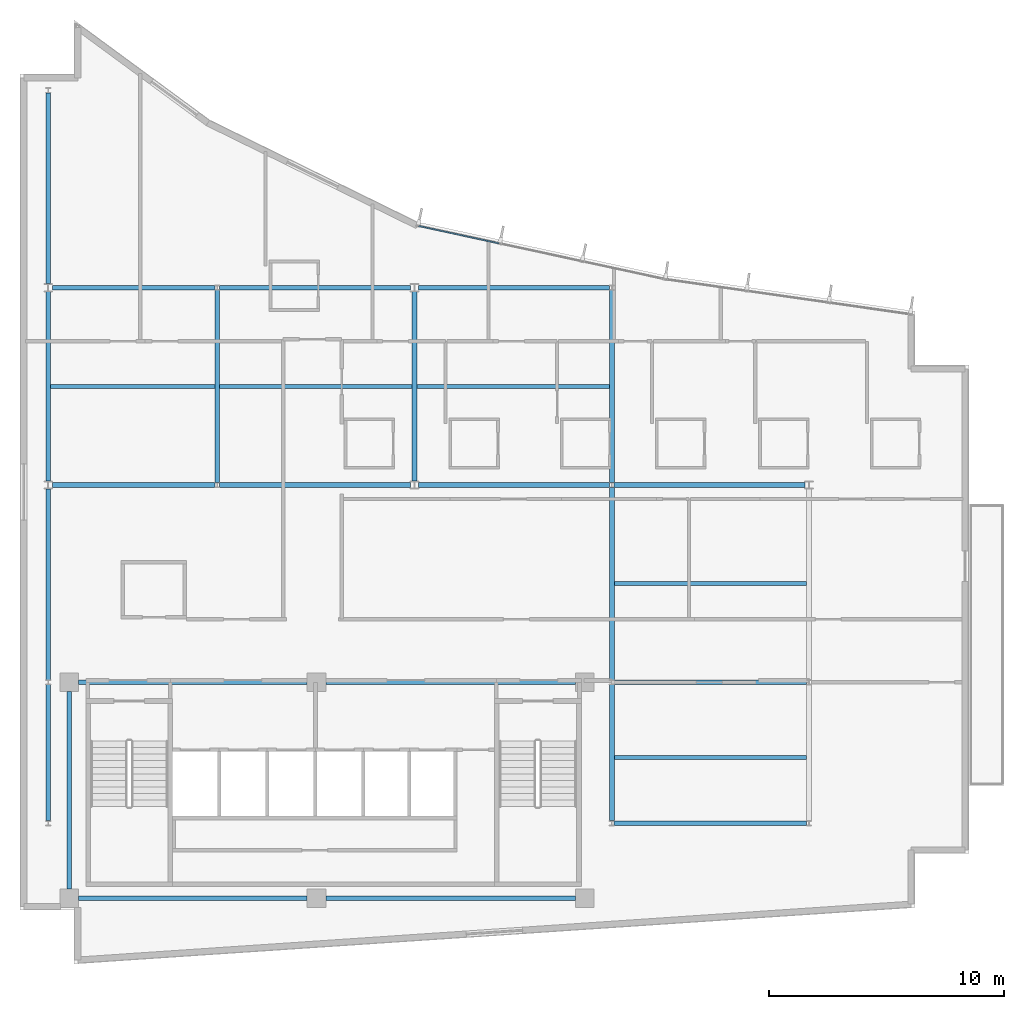
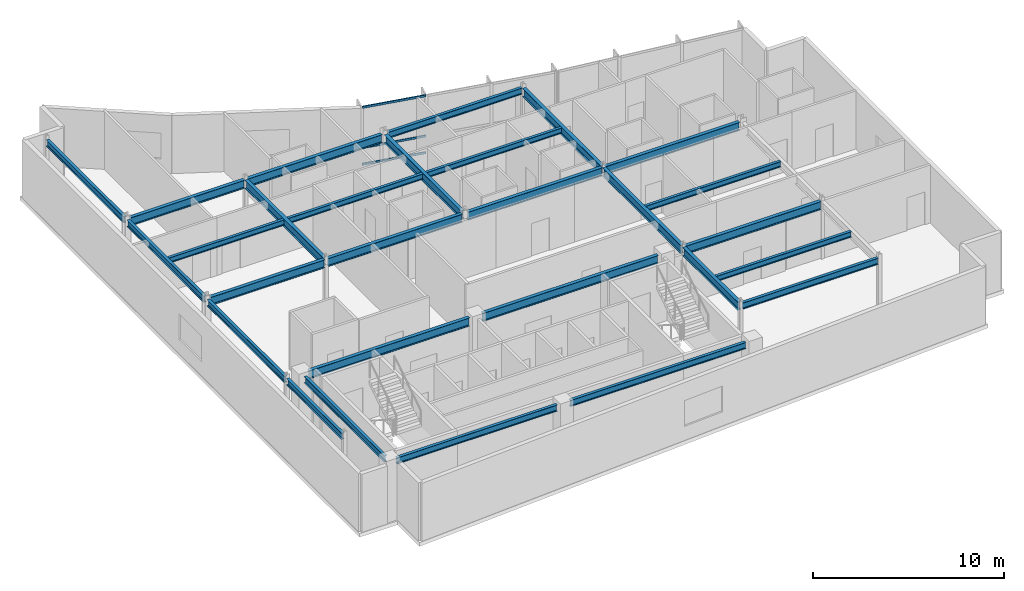
# One storey, part 5 of 16: 28 beams, 3 members, 1 element without a shape of its own.
"""IFC4 building model written with IfcOpenShell, lengths in metres."""

from ifc_helpers import new_model, si_unit, direction, frame, origin, origin_2d, place, context, subcontext, project, spatial, hollow_rectangle, i_section, extrude, material, layer, layer_set, material_profile, profile_set, type_object, element, aggregate, save


model = new_model("IFC4")

# Units and contexts
model_context = context("Model", 3, precision=1e-05, world=origin(), true_north=direction((0.0, 1.0)))
body_context = subcontext(model_context, "Body", "Model", "MODEL_VIEW")
ifc_project = project(units=[si_unit("LENGTHUNIT", "METRE"), si_unit("AREAUNIT", "SQUARE_METRE"), si_unit("VOLUMEUNIT", "CUBIC_METRE"), si_unit("PLANEANGLEUNIT", "RADIAN"), si_unit("MASSUNIT", "GRAM", prefix="KILO")], contexts=[model_context])

# Site, building, storey
site_placement = place(None, origin())
site = spatial("IfcSite", under=ifc_project, at=site_placement, CompositionType="ELEMENT")
building_placement = place(site_placement, origin())
building = spatial("IfcBuilding", under=site, at=building_placement, Name="Varnakote Quay Hospital", CompositionType="ELEMENT")
storey_placement = place(building_placement, frame((0.0, 0.0, 292.10009765625)))
storey = spatial("IfcBuildingStorey", under=building, at=storey_placement, Name="L72", CompositionType="ELEMENT", Elevation=292.10009765625)

# Beams
ifc_material_1 = material(Name="Structural steel AS/NZS 3679.1 Grade 350 L0 (fy 340 MPa)", Category="steel")
ifc_material_profile_1 = material_profile(ifc_material_1, i_section(OverallWidth=0.208984375, OverallDepth=0.528076171875, WebThickness=0.009521484375, FlangeThickness=0.01318359375, FilletRadius=0.013916015625, at=origin_2d()), Name="530UB82.0")
ifc_profile_set_1 = profile_set([ifc_material_profile_1], Name="Structural steel AS/NZS 3679.1 Grade 350 L0 (fy 340 MPa)")
beam_type_1 = type_object("IfcBeamType", Name="BM-STL-530UB82-0", PredefinedType="BEAM", material=ifc_profile_set_1)
beam_1_placement = place(storey_placement, frame((2.5, 12.0, 3.44580078125), z_axis=(1.0, 0.0, 0.0), x_axis=(0.0, 1.0, 0.0)))
element("IfcBeam", 1, at=beam_1_placement, inside=storey, type_object=beam_type_1, Name="L72 Primary Floor Beam", PredefinedType="BEAM", context=body_context, shape_type="SweptSolid", body=[
    extrude(i_section(OverallWidth=0.208984375, OverallDepth=0.528076171875, WebThickness=0.009521484375, FlangeThickness=0.01318359375, FilletRadius=0.013916015625, at=origin_2d()), origin(), (0.0, 0.0, 1.0), 9.719970703125),
])
beam_2_placement = place(storey_placement, frame((13.02001953125, 12.0, 3.44580078125), z_axis=(1.0, 0.0, 0.0), x_axis=(0.0, 1.0, 0.0)))
element("IfcBeam", 2, at=beam_2_placement, inside=storey, type_object=beam_type_1, Name="L72 Primary Floor Beam", PredefinedType="BEAM", context=body_context, shape_type="SweptSolid", body=[
    extrude(i_section(OverallWidth=0.208984375, OverallDepth=0.528076171875, WebThickness=0.009521484375, FlangeThickness=0.01318359375, FilletRadius=0.013916015625, at=origin_2d()), origin(), (0.0, 0.0, 1.0), 10.6298828125),
])
beam_3_placement = place(storey_placement, frame((25.302490234375, 12.0, 3.44580078125), z_axis=(1.0, 0.0, 0.0), x_axis=(0.0, 1.0, 0.0)))
element("IfcBeam", 3, at=beam_3_placement, inside=storey, type_object=beam_type_1, Name="L72 Primary Floor Beam", PredefinedType="BEAM", context=body_context, shape_type="SweptSolid", body=[
    extrude(i_section(OverallWidth=0.208984375, OverallDepth=0.528076171875, WebThickness=0.009521484375, FlangeThickness=0.01318359375, FilletRadius=0.013916015625, at=origin_2d()), origin(), (0.0, 0.0, 1.0), 8.195068359375),
])
beam_4_placement = place(storey_placement, frame((1.375, 20.39990234375, 3.44580078125), z_axis=(1.0, 0.0, 0.0), x_axis=(0.0, 1.0, 0.0)))
element("IfcBeam", 4, at=beam_4_placement, inside=storey, type_object=beam_type_1, Name="L72 Primary Floor Beam", PredefinedType="BEAM", context=body_context, shape_type="SweptSolid", body=[
    extrude(i_section(OverallWidth=0.208984375, OverallDepth=0.528076171875, WebThickness=0.009521484375, FlangeThickness=0.01318359375, FilletRadius=0.013916015625, at=origin_2d()), origin(), (0.0, 0.0, 1.0), 6.922607421875),
])
beam_5_placement = place(storey_placement, frame((8.50244140625, 20.39990234375, 3.44580078125), z_axis=(1.0, 0.0, 0.0), x_axis=(0.0, 1.0, 0.0)))
element("IfcBeam", 5, at=beam_5_placement, inside=storey, type_object=beam_type_1, Name="L72 Primary Floor Beam", PredefinedType="BEAM", context=body_context, shape_type="SweptSolid", body=[
    extrude(i_section(OverallWidth=0.208984375, OverallDepth=0.528076171875, WebThickness=0.009521484375, FlangeThickness=0.01318359375, FilletRadius=0.013916015625, at=origin_2d()), origin(), (0.0, 0.0, 1.0), 8.12255859375),
])
beam_6_placement = place(storey_placement, frame((16.97509765625, 20.39990234375, 3.44580078125), z_axis=(1.0, 0.0, 0.0), x_axis=(0.0, 1.0, 0.0)))
element("IfcBeam", 6, at=beam_6_placement, inside=storey, type_object=beam_type_1, Name="L72 Primary Floor Beam", PredefinedType="BEAM", context=body_context, shape_type="SweptSolid", body=[
    extrude(i_section(OverallWidth=0.208984375, OverallDepth=0.528076171875, WebThickness=0.009521484375, FlangeThickness=0.01318359375, FilletRadius=0.013916015625, at=origin_2d()), origin(), (0.0, 0.0, 1.0), 8.122314453125),
])
beam_7_placement = place(storey_placement, frame((25.302490234375, 20.39990234375, 3.44580078125), z_axis=(1.0, 0.0, 0.0), x_axis=(0.0, 1.0, 0.0)))
element("IfcBeam", 7, at=beam_7_placement, inside=storey, type_object=beam_type_1, Name="L72 Primary Floor Beam", PredefinedType="BEAM", context=body_context, shape_type="SweptSolid", body=[
    extrude(i_section(OverallWidth=0.208984375, OverallDepth=0.528076171875, WebThickness=0.009521484375, FlangeThickness=0.01318359375, FilletRadius=0.013916015625, at=origin_2d()), origin(), (0.0, 0.0, 1.0), 8.12255859375),
])
beam_8_placement = place(storey_placement, frame((1.375, 28.800048828125, 3.44580078125), z_axis=(1.0, 0.0, 0.0), x_axis=(0.0, 1.0, 0.0)))
element("IfcBeam", 8, at=beam_8_placement, inside=storey, type_object=beam_type_1, Name="L72 Primary Floor Beam", PredefinedType="BEAM", context=body_context, shape_type="SweptSolid", body=[
    extrude(i_section(OverallWidth=0.208984375, OverallDepth=0.528076171875, WebThickness=0.009521484375, FlangeThickness=0.01318359375, FilletRadius=0.013916015625, at=origin_2d()), origin(), (0.0, 0.0, 1.0), 6.922607421875),
])
beam_9_placement = place(storey_placement, frame((8.50244140625, 28.800048828125, 3.44580078125), z_axis=(1.0, 0.0, 0.0), x_axis=(0.0, 1.0, 0.0)))
element("IfcBeam", 9, at=beam_9_placement, inside=storey, type_object=beam_type_1, Name="L72 Primary Floor Beam", PredefinedType="BEAM", context=body_context, shape_type="SweptSolid", body=[
    extrude(i_section(OverallWidth=0.208984375, OverallDepth=0.528076171875, WebThickness=0.009521484375, FlangeThickness=0.01318359375, FilletRadius=0.013916015625, at=origin_2d()), origin(), (0.0, 0.0, 1.0), 8.12255859375),
])
beam_10_placement = place(storey_placement, frame((8.39990234375, 20.5048828125, 3.44580078125), z_axis=(0.0, 1.0, 0.0), x_axis=(-1.0, 0.0, 0.0)))
element("IfcBeam", 10, at=beam_10_placement, inside=storey, type_object=beam_type_1, Name="L72 Primary Tie Beam", PredefinedType="BEAM", context=body_context, shape_type="SweptSolid", body=[
    extrude(i_section(OverallWidth=0.208984375, OverallDepth=0.528076171875, WebThickness=0.009521484375, FlangeThickness=0.01318359375, FilletRadius=0.013916015625, at=origin_2d()), origin(), (0.0, 0.0, 1.0), 8.190185546875),
])
beam_11_placement = place(storey_placement, frame((16.800048828125, 20.570068359375, 3.44580078125), z_axis=(0.0, 1.0, 0.0), x_axis=(-1.0, 0.0, 0.0)))
element("IfcBeam", 11, at=beam_11_placement, inside=storey, type_object=beam_type_1, Name="L72 Primary Tie Beam", PredefinedType="BEAM", context=body_context, shape_type="SweptSolid", body=[
    extrude(i_section(OverallWidth=0.208984375, OverallDepth=0.528076171875, WebThickness=0.009521484375, FlangeThickness=0.01318359375, FilletRadius=0.013916015625, at=origin_2d()), origin(), (0.0, 0.0, 1.0), 8.059814453125),
])
beam_12_placement = place(storey_placement, frame((25.199951171875, 6.10498046875, 3.44580078125), z_axis=(0.0, 1.0, 0.0), x_axis=(-1.0, 0.0, 0.0)))
element("IfcBeam", 12, at=beam_12_placement, inside=storey, type_object=beam_type_1, Name="L72 Primary Tie Beam", PredefinedType="BEAM", context=body_context, shape_type="SweptSolid", body=[
    extrude(i_section(OverallWidth=0.208984375, OverallDepth=0.528076171875, WebThickness=0.009521484375, FlangeThickness=0.01318359375, FilletRadius=0.013916015625, at=origin_2d()), origin(), (0.0, 0.0, 1.0), 5.7900390625),
])
beam_13_placement = place(storey_placement, frame((25.199951171875, 12.10498046875, 3.44580078125), z_axis=(0.0, 1.0, 0.0), x_axis=(-1.0, 0.0, 0.0)))
element("IfcBeam", 13, at=beam_13_placement, inside=storey, type_object=beam_type_1, Name="L72 Primary Tie Beam", PredefinedType="BEAM", context=body_context, shape_type="SweptSolid", body=[
    extrude(i_section(OverallWidth=0.208984375, OverallDepth=0.528076171875, WebThickness=0.009521484375, FlangeThickness=0.01318359375, FilletRadius=0.013916015625, at=origin_2d()), origin(), (0.0, 0.0, 1.0), 8.18994140625),
])
beam_14_placement = place(storey_placement, frame((25.199951171875, 20.5048828125, 3.44580078125), z_axis=(0.0, 1.0, 0.0), x_axis=(-1.0, 0.0, 0.0)))
element("IfcBeam", 14, at=beam_14_placement, inside=storey, type_object=beam_type_1, Name="L72 Primary Tie Beam", PredefinedType="BEAM", context=body_context, shape_type="SweptSolid", body=[
    extrude(i_section(OverallWidth=0.208984375, OverallDepth=0.528076171875, WebThickness=0.009521484375, FlangeThickness=0.01318359375, FilletRadius=0.013916015625, at=origin_2d()), origin(), (0.0, 0.0, 1.0), 8.190185546875),
])

# Curtain wall, members
ifc_material_2 = material(Name="Anodised aluminium 6063-T6 Bronze", Category="aluminium")
ifc_layer = layer(ifc_material_2, 0.235107421875)
ifc_layer_set = layer_set([ifc_layer], Name="Anodised aluminium 6063-T6 Bronze")
curtain_wall_type = type_object("IfcCurtainWallType", Name="CW-SYS-5", PredefinedType="NOTDEFINED", material=ifc_layer_set)
curtain_wall_placement = place(storey_placement, origin())
curtain_wall = element("IfcCurtainWall", 15, at=curtain_wall_placement, inside=storey, type_object=curtain_wall_type, Name="L72 Unitised Bronze Curtain Wall 2", PredefinedType="NOTDEFINED")
ifc_material_3 = material(Name="Anodised aluminium 6063-T6 Bronze", Category="aluminium")
ifc_material_profile_2 = material_profile(ifc_material_3, hollow_rectangle(XDim=0.06494140625, YDim=0.139892578125, WallThickness=0.00390625, InnerFilletRadius=0.00390625, OuterFilletRadius=0.007568359375, at=origin_2d()), Name="CW-TRAN-140x65")
ifc_profile_set_2 = profile_set([ifc_material_profile_2], Name="Anodised aluminium 6063-T6 Bronze")
member_type = type_object("IfcMemberType", Name="CW-TRAN-140x65", PredefinedType="USERDEFINED", material=ifc_profile_set_2)
member_1_placement = place(storey_placement, frame((20.392822265625, 30.6875, 0.032470703125), z_axis=(-0.977396604486, 0.211413995608, 0.0), x_axis=(-0.211413995608, -0.977396604486, 0.0)))
member_1 = element("IfcMember", 16, at=member_1_placement, type_object=member_type, Name="-5-L72-2 transom 3.1", ObjectType="TRANSOM", PredefinedType="USERDEFINED", context=body_context, shape_type="SweptSolid", body=[
    extrude(hollow_rectangle(XDim=0.06494140625, YDim=0.139892578125, WallThickness=0.00390625, InnerFilletRadius=0.00390625, OuterFilletRadius=0.007568359375, at=origin_2d()), origin(), (0.0, 0.0, 1.0), 3.4931640625),
])
member_2_placement = place(storey_placement, frame((20.392822265625, 30.6875, 1.099853515625), z_axis=(-0.977396604486, 0.211413995608, 0.0), x_axis=(-0.211413995608, -0.977396604486, 0.0)))
member_2 = element("IfcMember", 17, at=member_2_placement, type_object=member_type, Name="-5-L72-2 transom 3.2", ObjectType="TRANSOM", PredefinedType="USERDEFINED", context=body_context, shape_type="SweptSolid", body=[
    extrude(hollow_rectangle(XDim=0.06494140625, YDim=0.139892578125, WallThickness=0.00390625, InnerFilletRadius=0.00390625, OuterFilletRadius=0.007568359375, at=origin_2d()), origin(), (0.0, 0.0, 1.0), 3.4931640625),
])
member_3_placement = place(storey_placement, frame((20.392822265625, 30.6875, 3.677490234375), z_axis=(-0.977396604486, 0.211413995608, 0.0), x_axis=(-0.211413995608, -0.977396604486, 0.0)))
member_3 = element("IfcMember", 18, at=member_3_placement, type_object=member_type, Name="-5-L72-2 transom 3.3", ObjectType="TRANSOM", PredefinedType="USERDEFINED", context=body_context, shape_type="SweptSolid", body=[
    extrude(hollow_rectangle(XDim=0.06494140625, YDim=0.139892578125, WallThickness=0.00390625, InnerFilletRadius=0.00390625, OuterFilletRadius=0.007568359375, at=origin_2d()), origin(), (0.0, 0.0, 1.0), 3.4931640625),
])
aggregate(curtain_wall, [member_1, member_2, member_3])

# Beams
ifc_material_4 = material(Name="Structural steel AS/NZS 3679.1 Grade 350 L0 (fy 340 MPa)", Category="steel")
ifc_material_profile_3 = material_profile(ifc_material_4, i_section(OverallWidth=0.1708984375, OverallDepth=0.35595703125, WebThickness=0.00732421875, FlangeThickness=0.011474609375, FilletRadius=0.011474609375, at=origin_2d()), Name="360UB50.7")
ifc_profile_set_3 = profile_set([ifc_material_profile_3], Name="Structural steel AS/NZS 3679.1 Grade 350 L0 (fy 340 MPa)")
beam_type_2 = type_object("IfcBeamType", Name="JST-STL-360UB50-7", PredefinedType="JOIST", material=ifc_profile_set_3)
for number, where, z_axis, x_axis, name in (
    (19, (25.304443359375, 8.800048828125, 3.531982421875), (1.0, 0.0, 0.0), (0.0, 1.0, 0.0), "L72 Composite Floor Joist"),
    (20, (25.304443359375, 16.199951171875, 3.531982421875), (1.0, 0.0, 0.0), (0.0, 1.0, 0.0), "L72 Composite Floor Joist"),
):
    element("IfcBeam", number, at=place(storey_placement, frame(where, z_axis=z_axis, x_axis=x_axis)), inside=storey, type_object=beam_type_2, Name=name, PredefinedType="JOIST", context=body_context, shape_type="SweptSolid", body=[
        extrude(i_section(OverallWidth=0.1708984375, OverallDepth=0.35595703125, WebThickness=0.00732421875, FlangeThickness=0.011474609375, FilletRadius=0.011474609375, at=origin_2d()), origin(), (0.0, 0.0, 1.0), 8.191162109375),
    ])
beam_15_placement = place(storey_placement, frame((1.2890625, 24.60009765625, 3.531982421875), z_axis=(1.0, 0.0, 0.0), x_axis=(0.0, 1.0, 0.0)))
element("IfcBeam", 21, at=beam_15_placement, inside=storey, type_object=beam_type_2, Name="L72 Composite Floor Joist", PredefinedType="JOIST", context=body_context, shape_type="SweptSolid", body=[
    extrude(i_section(OverallWidth=0.1708984375, OverallDepth=0.35595703125, WebThickness=0.00732421875, FlangeThickness=0.011474609375, FilletRadius=0.011474609375, at=origin_2d()), origin(), (0.0, 0.0, 1.0), 7.00634765625),
])
beam_16_placement = place(storey_placement, frame((8.50439453125, 24.60009765625, 3.531982421875), z_axis=(1.0, 0.0, 0.0), x_axis=(0.0, 1.0, 0.0)))
element("IfcBeam", 22, at=beam_16_placement, inside=storey, type_object=beam_type_2, Name="L72 Composite Floor Joist", PredefinedType="JOIST", context=body_context, shape_type="SweptSolid", body=[
    extrude(i_section(OverallWidth=0.1708984375, OverallDepth=0.35595703125, WebThickness=0.00732421875, FlangeThickness=0.011474609375, FilletRadius=0.011474609375, at=origin_2d()), origin(), (0.0, 0.0, 1.0), 8.191162109375),
])
beam_17_placement = place(storey_placement, frame((16.904541015625, 24.60009765625, 3.531982421875), z_axis=(1.0, 0.0, 0.0), x_axis=(0.0, 1.0, 0.0)))
element("IfcBeam", 23, at=beam_17_placement, inside=storey, type_object=beam_type_2, Name="L72 Composite Floor Joist", PredefinedType="JOIST", context=body_context, shape_type="SweptSolid", body=[
    extrude(i_section(OverallWidth=0.1708984375, OverallDepth=0.35595703125, WebThickness=0.00732421875, FlangeThickness=0.011474609375, FilletRadius=0.011474609375, at=origin_2d()), origin(), (0.0, 0.0, 1.0), 8.19091796875),
])
ifc_material_5 = material(Name="Structural steel AS/NZS 3679.1 Grade 350 L0 (fy 340 MPa)", Category="steel")
ifc_material_profile_4 = material_profile(ifc_material_5, i_section(OverallWidth=0.177978515625, OverallDepth=0.403076171875, WebThickness=0.007568359375, FlangeThickness=0.010986328125, FilletRadius=0.011474609375, at=origin_2d()), Name="410UB53.7")
ifc_profile_set_4 = profile_set([ifc_material_profile_4], Name="Structural steel AS/NZS 3679.1 Grade 350 L0 (fy 340 MPa)")
beam_type_3 = type_object("IfcBeamType", Name="SPN-STL-410UB53-7", PredefinedType="SPANDREL", material=ifc_profile_set_4)
beam_18_placement = place(storey_placement, frame((1.199951171875, 6.10498046875, 3.50830078125), z_axis=(0.0, 1.0, 0.0), x_axis=(-1.0, 0.0, 0.0)))
element("IfcBeam", 24, at=beam_18_placement, inside=storey, type_object=beam_type_3, Name="L72 Perimeter Spandrel Beam", PredefinedType="SPANDREL", context=body_context, shape_type="SweptSolid", body=[
    extrude(i_section(OverallWidth=0.177978515625, OverallDepth=0.403076171875, WebThickness=0.007568359375, FlangeThickness=0.010986328125, FilletRadius=0.011474609375, at=origin_2d()), origin(), (0.0, 0.0, 1.0), 5.7900390625),
])
beam_19_placement = place(storey_placement, frame((1.199951171875, 12.10498046875, 3.50830078125), z_axis=(0.0, 1.0, 0.0), x_axis=(-1.0, 0.0, 0.0)))
element("IfcBeam", 25, at=beam_19_placement, inside=storey, type_object=beam_type_3, Name="L72 Perimeter Spandrel Beam", PredefinedType="SPANDREL", context=body_context, shape_type="SweptSolid", body=[
    extrude(i_section(OverallWidth=0.177978515625, OverallDepth=0.403076171875, WebThickness=0.007568359375, FlangeThickness=0.010986328125, FilletRadius=0.011474609375, at=origin_2d()), origin(), (0.0, 0.0, 1.0), 8.125),
])
beam_20_placement = place(storey_placement, frame((1.199951171875, 20.570068359375, 3.50830078125), z_axis=(0.0, 1.0, 0.0), x_axis=(-1.0, 0.0, 0.0)))
element("IfcBeam", 26, at=beam_20_placement, inside=storey, type_object=beam_type_3, Name="L72 Perimeter Spandrel Beam", PredefinedType="SPANDREL", context=body_context, shape_type="SweptSolid", body=[
    extrude(i_section(OverallWidth=0.177978515625, OverallDepth=0.403076171875, WebThickness=0.007568359375, FlangeThickness=0.010986328125, FilletRadius=0.011474609375, at=origin_2d()), origin(), (0.0, 0.0, 1.0), 8.059814453125),
])
beam_21_placement = place(storey_placement, frame((1.199951171875, 28.969970703125, 3.50830078125), z_axis=(0.0, 1.0, 0.0), x_axis=(-1.0, 0.0, 0.0)))
element("IfcBeam", 27, at=beam_21_placement, inside=storey, type_object=beam_type_3, Name="L72 Perimeter Spandrel Beam", PredefinedType="SPANDREL", context=body_context, shape_type="SweptSolid", body=[
    extrude(i_section(OverallWidth=0.177978515625, OverallDepth=0.403076171875, WebThickness=0.007568359375, FlangeThickness=0.010986328125, FilletRadius=0.011474609375, at=origin_2d()), origin(), (0.0, 0.0, 1.0), 8.125),
])
beam_22_placement = place(storey_placement, frame((2.10009765625, 3.199951171875, 3.50830078125), z_axis=(0.0, 1.0, 0.0), x_axis=(-1.0, 0.0, 0.0)))
element("IfcBeam", 28, at=beam_22_placement, inside=storey, type_object=beam_type_3, Name="L72 Perimeter Spandrel Beam", PredefinedType="SPANDREL", context=body_context, shape_type="SweptSolid", body=[
    extrude(i_section(OverallWidth=0.177978515625, OverallDepth=0.403076171875, WebThickness=0.007568359375, FlangeThickness=0.010986328125, FilletRadius=0.011474609375, at=origin_2d()), origin(), (0.0, 0.0, 1.0), 8.400146484375),
])
ifc_material_6 = material(Name="Structural steel AS/NZS 3679.1 Grade 350 L0 (fy 340 MPa)", Category="steel")
ifc_material_profile_5 = material_profile(ifc_material_6, i_section(OverallWidth=0.177978515625, OverallDepth=0.406005859375, WebThickness=0.0078125, FlangeThickness=0.0126953125, FilletRadius=0.011474609375, at=origin_2d()), Name="410UB59.7")
ifc_profile_set_5 = profile_set([ifc_material_profile_5], Name="Structural steel AS/NZS 3679.1 Grade 350 L0 (fy 340 MPa)")
beam_type_4 = type_object("IfcBeamType", Name="SPN-STL-410UB59-7", PredefinedType="SPANDREL", material=ifc_profile_set_5)
beam_23_placement = place(storey_placement, frame((2.5, 2.800048828125, 3.5068359375), z_axis=(1.0, 0.0, 0.0), x_axis=(0.0, 1.0, 0.0)))
element("IfcBeam", 29, at=beam_23_placement, inside=storey, type_object=beam_type_4, Name="L72 Perimeter Spandrel Beam", PredefinedType="SPANDREL", context=body_context, shape_type="SweptSolid", body=[
    extrude(i_section(OverallWidth=0.177978515625, OverallDepth=0.406005859375, WebThickness=0.0078125, FlangeThickness=0.0126953125, FilletRadius=0.011474609375, at=origin_2d()), origin(), (0.0, 0.0, 1.0), 9.719970703125),
])
beam_24_placement = place(storey_placement, frame((13.02001953125, 2.800048828125, 3.5068359375), z_axis=(1.0, 0.0, 0.0), x_axis=(0.0, 1.0, 0.0)))
element("IfcBeam", 30, at=beam_24_placement, inside=storey, type_object=beam_type_4, Name="L72 Perimeter Spandrel Beam", PredefinedType="SPANDREL", context=body_context, shape_type="SweptSolid", body=[
    extrude(i_section(OverallWidth=0.177978515625, OverallDepth=0.406005859375, WebThickness=0.0078125, FlangeThickness=0.0126953125, FilletRadius=0.011474609375, at=origin_2d()), origin(), (0.0, 0.0, 1.0), 10.6298828125),
])
beam_25_placement = place(storey_placement, frame((25.302490234375, 6.0, 3.5068359375), z_axis=(1.0, 0.0, 0.0), x_axis=(0.0, 1.0, 0.0)))
element("IfcBeam", 31, at=beam_25_placement, inside=storey, type_object=beam_type_4, Name="L72 Perimeter Spandrel Beam", PredefinedType="SPANDREL", context=body_context, shape_type="SweptSolid", body=[
    extrude(i_section(OverallWidth=0.177978515625, OverallDepth=0.406005859375, WebThickness=0.0078125, FlangeThickness=0.0126953125, FilletRadius=0.011474609375, at=origin_2d()), origin(), (0.0, 0.0, 1.0), 8.195068359375),
])
beam_26_placement = place(storey_placement, frame((16.97509765625, 28.800048828125, 3.5068359375), z_axis=(1.0, 0.0, 0.0), x_axis=(0.0, 1.0, 0.0)))
element("IfcBeam", 32, at=beam_26_placement, inside=storey, type_object=beam_type_4, Name="L72 Perimeter Spandrel Beam", PredefinedType="SPANDREL", context=body_context, shape_type="SweptSolid", body=[
    extrude(i_section(OverallWidth=0.177978515625, OverallDepth=0.406005859375, WebThickness=0.0078125, FlangeThickness=0.0126953125, FilletRadius=0.011474609375, at=origin_2d()), origin(), (0.0, 0.0, 1.0), 8.122314453125),
])

save(model, "model.ifc")
